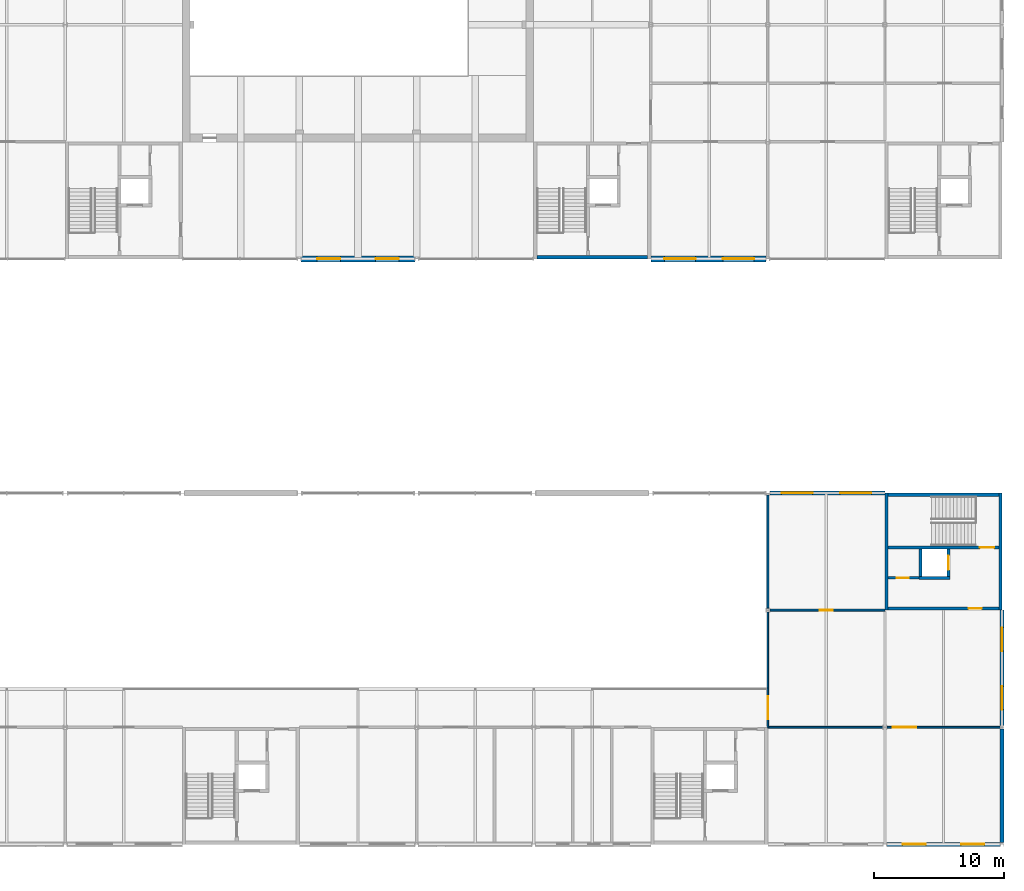
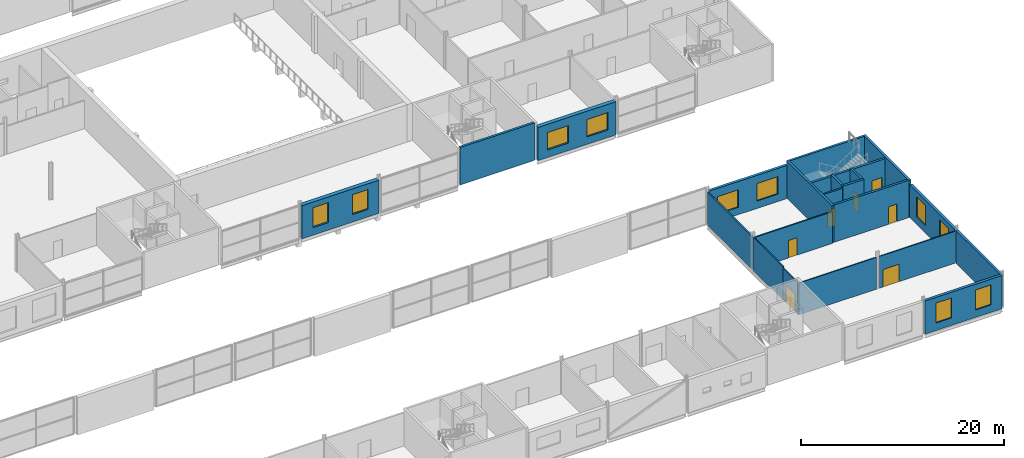
# One storey, part 82 of 97: 22 walls, 10 windows, 7 doors, 17 openings.
"""IFC4 building model written with IfcOpenShell, lengths in metres."""

from ifc_helpers import new_model, si_unit, direction, frame, frame_2d, origin, place, context, subcontext, project, spatial, rectangle, extrude, material, layer, layer_set, type_object, element, fill, save


model = new_model("IFC4")

# Units and contexts
model_context = context("Model", 3, precision=1e-05, world=origin(), true_north=direction((0.0, 1.0)))
body_context = subcontext(model_context, "Body", "Model", "MODEL_VIEW")
ifc_project = project(units=[si_unit("LENGTHUNIT", "METRE"), si_unit("AREAUNIT", "SQUARE_METRE"), si_unit("VOLUMEUNIT", "CUBIC_METRE"), si_unit("PLANEANGLEUNIT", "RADIAN"), si_unit("MASSUNIT", "GRAM", prefix="KILO")], contexts=[model_context])

# Site, building, storey
site_placement = place(None, origin())
site = spatial("IfcSite", under=ifc_project, at=site_placement, CompositionType="ELEMENT")
building_placement = place(site_placement, origin())
building = spatial("IfcBuilding", under=site, at=building_placement, Name="Corbel Yard City Hall", CompositionType="ELEMENT")
storey_placement = place(building_placement, frame((0.0, 0.0, 6.0)))
storey = spatial("IfcBuildingStorey", under=building, at=storey_placement, Name="L01", CompositionType="ELEMENT", Elevation=6.0)

# Walls
ifc_material_1 = material(Name="Concrete N50 (50 MPa)", Category="concrete")
ifc_layer_1 = layer(ifc_material_1, 0.25)
ifc_layer_set_1 = layer_set([ifc_layer_1], Name="Concrete N50 (50 MPa)")
wall_type_1 = type_object("IfcWallType", Name="Core cell wall 250", PredefinedType="SHEAR", material=ifc_layer_set_1)
for number, where, z_axis, x_axis, name in (
    (1, (171.125, 18.0, 0.0), (0.0, 0.0, 1.0), (0.0, 1.0, 0.0), "Core PC-S6 west wall"),
    (2, (179.875, 18.0, 0.0), (0.0, 0.0, 1.0), (0.0, 1.0, 0.0), "Core PC-S6 east wall"),
):
    element("IfcWall", number, at=place(storey_placement, frame(where, z_axis=z_axis, x_axis=x_axis)), inside=storey, type_object=wall_type_1, Name=name, PredefinedType="SHEAR", context=body_context, shape_type="SweptSolid", body=[
        extrude(rectangle(XDim=9.0, YDim=0.25, at=frame_2d((4.5, 0.0))), origin(), (0.0, 0.0, 1.0), 4.5),
    ])

# Wall, opening, door
wall_1_placement = place(storey_placement, frame((171.25, 18.125, 0.0), z_axis=(0.0, 0.0, 1.0), x_axis=(1.0, 0.0, 0.0)))
wall_1 = element("IfcWall", 3, at=wall_1_placement, inside=storey, type_object=wall_type_1, Name="Core PC-S6 south wall", PredefinedType="SHEAR", context=body_context, shape_type="SweptSolid", body=[
    extrude(rectangle(XDim=8.5, YDim=0.25, at=frame_2d((4.25, 0.0))), origin(), (0.0, 0.0, 1.0), 4.5),
])
opening_1_placement = place(wall_1_placement, frame((6.1875, 0.0, 0.0)))
opening_1 = element("IfcOpeningElement", 4, at=opening_1_placement, cuts=wall_1, Name="Opening L01-048", PredefinedType="OPENING", context=body_context, shape_type="SweptSolid", body=[
    extrude(rectangle(XDim=1.0, YDim=2.10009765625, at=frame_2d((0.5, 1.050048828125))), frame((0.0, 0.135009765625, 0.0), z_axis=(0.0, -1.0, 0.0), x_axis=(1.0, 0.0, 0.0)), (0.0, 0.0, 1.0), 0.27001953125),
])
ifc_material_2 = material(Name="Steel Grade G250", Category="steel")
door_type_1 = type_object("IfcDoorType", Name="FS1", OperationType="SINGLE_SWING_LEFT", PredefinedType="DOOR", material=ifc_material_2)
door_1_placement = place(opening_1_placement, origin())
door_1 = element("IfcDoor", 5, at=door_1_placement, inside=storey, type_object=door_type_1, Name="Door Lift Lobby", OperationType="SINGLE_SWING_RIGHT", OverallHeight=2.10009765625, OverallWidth=1.0, PredefinedType="DOOR", context=body_context, shape_type="SweptSolid", body=[
    extrude(rectangle(XDim=1.0, YDim=2.10009765625, at=frame_2d((0.5, 1.050048828125))), frame((0.0, 0.02490234375, 0.0), z_axis=(0.0, -1.0, 0.0), x_axis=(1.0, 0.0, 0.0)), (0.0, 0.0, 1.0), 0.050048828125),
])
fill(opening_1, door_1)

# Walls
for number, where, z_axis, x_axis, name in (
    (6, (171.25, 26.875, 0.0), (0.0, 0.0, 1.0), (1.0, 0.0, 0.0), "Core PC-S6 north wall"),
    (7, (144.25, 45.125, 0.0), (0.0, 0.0, 1.0), (1.0, 0.0, 0.0), "Core PC-M4 south wall"),
):
    element("IfcWall", number, at=place(storey_placement, frame(where, z_axis=z_axis, x_axis=x_axis)), inside=storey, type_object=wall_type_1, Name=name, PredefinedType="SHEAR", context=body_context, shape_type="SweptSolid", body=[
        extrude(rectangle(XDim=8.5, YDim=0.25, at=frame_2d((4.25, 0.0))), origin(), (0.0, 0.0, 1.0), 4.5),
    ])

# Wall, openings, windows
ifc_material_3 = material(Name="Sandstone cladding", Category="masonry")
ifc_layer_2 = layer(ifc_material_3, 0.0400390625)
ifc_material_4 = material(Name="Air cavity", Category="air")
ifc_layer_3 = layer(ifc_material_4, 0.0400390625)
ifc_material_5 = material(Name="Concrete block", Category="concrete")
ifc_layer_4 = layer(ifc_material_5, 0.18994140625)
ifc_material_6 = material(Name="Gypsum plasterboard", Category="gypsum")
ifc_layer_5 = layer(ifc_material_6, 0.030029296875)
ifc_layer_set_2 = layer_set([ifc_layer_2, ifc_layer_3, ifc_layer_4, ifc_layer_5], Name="Concrete block")
wall_type_2 = type_object("IfcWallType", Name="EW1", PredefinedType="SOLIDWALL", material=ifc_layer_set_2)
wall_2_placement = place(storey_placement, frame((171.1298828125, 0.0, 0.0), z_axis=(0.0, 0.0, 1.0), x_axis=(1.0, 0.0, 0.0)))
wall_2 = element("IfcWall", 8, at=wall_2_placement, inside=storey, type_object=wall_type_2, Name="External wall", PredefinedType="SOLIDWALL", context=body_context, shape_type="SweptSolid", body=[
    extrude(rectangle(XDim=8.740234375, YDim=0.300048828125, at=frame_2d((4.3701171875, 0.0))), origin(), (0.0, 0.0, 1.0), 3.990966796875),
])
opening_2_placement = place(wall_2_placement, frame((1.219970703125, 0.0, 0.89990234375)))
opening_2 = element("IfcOpeningElement", 9, at=opening_2_placement, cuts=wall_2, Name="Opening WN1", PredefinedType="OPENING", context=body_context, shape_type="SweptSolid", body=[
    extrude(rectangle(XDim=1.800048828125, YDim=2.39990234375, at=frame_2d((0.89990234375, 1.199951171875))), frame((0.0, 0.159912109375, 0.0), z_axis=(0.0, -1.0, 0.0), x_axis=(1.0, 0.0, 0.0)), (0.0, 0.0, 1.0), 0.320068359375),
])
opening_3_placement = place(wall_2_placement, frame((5.719970703125, 0.0, 0.89990234375)))
opening_3 = element("IfcOpeningElement", 10, at=opening_3_placement, cuts=wall_2, Name="Opening WN1", PredefinedType="OPENING", context=body_context, shape_type="SweptSolid", body=[
    extrude(rectangle(XDim=1.800048828125, YDim=2.39990234375, at=frame_2d((0.89990234375, 1.199951171875))), frame((0.0, 0.159912109375, 0.0), z_axis=(0.0, -1.0, 0.0), x_axis=(1.0, 0.0, 0.0)), (0.0, 0.0, 1.0), 0.320068359375),
])
ifc_material_7 = material(Name="Aluminium frame, double glazed low-e glass", Category="aluminium")
window_type_1 = type_object("IfcWindowType", Name="WN1", PartitioningType="SINGLE_PANEL", PredefinedType="WINDOW", material=ifc_material_7)
window_1_placement = place(opening_2_placement, origin())
window_1 = element("IfcWindow", 11, at=window_1_placement, inside=storey, type_object=window_type_1, Name="Window WN1 L01", OverallHeight=2.39990234375, OverallWidth=1.800048828125, PartitioningType="SINGLE_PANEL", PredefinedType="WINDOW", context=body_context, shape_type="SweptSolid", body=[
    extrude(rectangle(XDim=1.800048828125, YDim=2.39990234375, at=frame_2d((0.89990234375, 1.199951171875))), frame((0.0, 0.030029296875, 0.0), z_axis=(0.0, -1.0, 0.0), x_axis=(1.0, 0.0, 0.0)), (0.0, 0.0, 1.0), 0.06005859375),
])
fill(opening_2, window_1)
window_2_placement = place(opening_3_placement, origin())
window_2 = element("IfcWindow", 12, at=window_2_placement, inside=storey, type_object=window_type_1, Name="Window WN1 L01", OverallHeight=2.39990234375, OverallWidth=1.800048828125, PartitioningType="SINGLE_PANEL", PredefinedType="WINDOW", context=body_context, shape_type="SweptSolid", body=[
    extrude(rectangle(XDim=1.800048828125, YDim=2.39990234375, at=frame_2d((0.89990234375, 1.199951171875))), frame((0.0, 0.030029296875, 0.0), z_axis=(0.0, -1.0, 0.0), x_axis=(1.0, 0.0, 0.0)), (0.0, 0.0, 1.0), 0.06005859375),
])
fill(opening_3, window_2)

wall_3_placement = place(storey_placement, frame((162.157470703125, 27.0, 0.0), z_axis=(0.0, 0.0, 1.0), x_axis=(1.0, 0.0, 0.0)))
wall_3 = element("IfcWall", 13, at=wall_3_placement, inside=storey, type_object=wall_type_2, Name="External wall", PredefinedType="SOLIDWALL", context=body_context, shape_type="SweptSolid", body=[
    extrude(rectangle(XDim=8.842529296875, YDim=0.300048828125, at=frame_2d((4.42138671875, 0.0))), origin(), (0.0, 0.0, 1.0), 3.990966796875),
])
opening_4_placement = place(wall_3_placement, frame((0.892578125, 0.0, 0.89990234375)))
opening_4 = element("IfcOpeningElement", 14, at=opening_4_placement, cuts=wall_3, Name="Opening WN8", PredefinedType="OPENING", context=body_context, shape_type="SweptSolid", body=[
    extrude(rectangle(XDim=2.39990234375, YDim=2.10009765625, at=frame_2d((1.199951171875, 1.050048828125))), frame((0.0, 0.159912109375, 0.0), z_axis=(0.0, -1.0, 0.0), x_axis=(1.0, 0.0, 0.0)), (0.0, 0.0, 1.0), 0.320068359375),
])
opening_5_placement = place(wall_3_placement, frame((5.392578125, 0.0, 0.89990234375)))
opening_5 = element("IfcOpeningElement", 15, at=opening_5_placement, cuts=wall_3, Name="Opening WN8", PredefinedType="OPENING", context=body_context, shape_type="SweptSolid", body=[
    extrude(rectangle(XDim=2.39990234375, YDim=2.10009765625, at=frame_2d((1.199951171875, 1.050048828125))), frame((0.0, 0.159912109375, 0.0), z_axis=(0.0, -1.0, 0.0), x_axis=(1.0, 0.0, 0.0)), (0.0, 0.0, 1.0), 0.320068359375),
])
window_type_2 = type_object("IfcWindowType", Name="WN8", PartitioningType="SINGLE_PANEL", PredefinedType="WINDOW", material=ifc_material_7)
window_3_placement = place(opening_4_placement, origin())
window_3 = element("IfcWindow", 16, at=window_3_placement, inside=storey, type_object=window_type_2, Name="Window WN8 L01", OverallHeight=2.10009765625, OverallWidth=2.39990234375, PartitioningType="SINGLE_PANEL", PredefinedType="WINDOW", context=body_context, shape_type="SweptSolid", body=[
    extrude(rectangle(XDim=2.39990234375, YDim=2.10009765625, at=frame_2d((1.199951171875, 1.050048828125))), frame((0.0, 0.030029296875, 0.0), z_axis=(0.0, -1.0, 0.0), x_axis=(1.0, 0.0, 0.0)), (0.0, 0.0, 1.0), 0.06005859375),
])
fill(opening_4, window_3)
window_4_placement = place(opening_5_placement, origin())
window_4 = element("IfcWindow", 17, at=window_4_placement, inside=storey, type_object=window_type_2, Name="Window WN8 L01", OverallHeight=2.10009765625, OverallWidth=2.39990234375, PartitioningType="SINGLE_PANEL", PredefinedType="WINDOW", context=body_context, shape_type="SweptSolid", body=[
    extrude(rectangle(XDim=2.39990234375, YDim=2.10009765625, at=frame_2d((1.199951171875, 1.050048828125))), frame((0.0, 0.030029296875, 0.0), z_axis=(0.0, -1.0, 0.0), x_axis=(1.0, 0.0, 0.0)), (0.0, 0.0, 1.0), 0.06005859375),
])
fill(opening_5, window_4)

ifc_layer_6 = layer(ifc_material_3, 0.06005859375)
ifc_layer_7 = layer(ifc_material_4, 0.0400390625)
ifc_material_8 = material(Name="Concrete N40 (40 MPa)", Category="concrete")
ifc_layer_8 = layer(ifc_material_8, 0.25)
ifc_material_9 = material(Name="Mineral wool", Category="insulation")
ifc_layer_9 = layer(ifc_material_9, 0.10009765625)
ifc_layer_set_3 = layer_set([ifc_layer_6, ifc_layer_7, ifc_layer_8, ifc_layer_9], Name="Concrete N40 (40 MPa)")
wall_type_3 = type_object("IfcWallType", Name="EW2", PredefinedType="SOLIDWALL", material=ifc_layer_set_3)
wall_4_placement = place(storey_placement, frame((126.1298828125, 45.0, 0.0), z_axis=(0.0, 0.0, 1.0), x_axis=(1.0, 0.0, 0.0)))
wall_4 = element("IfcWall", 18, at=wall_4_placement, inside=storey, type_object=wall_type_3, Name="Entrance pier wall", PredefinedType="SOLIDWALL", context=body_context, shape_type="SweptSolid", body=[
    extrude(rectangle(XDim=8.740234375, YDim=0.449951171875, at=frame_2d((4.3701171875, 0.0))), origin(), (0.0, 0.0, 1.0), 3.990966796875),
])
opening_6_placement = place(wall_4_placement, frame((1.219970703125, 0.0, 0.89990234375)))
opening_6 = element("IfcOpeningElement", 19, at=opening_6_placement, cuts=wall_4, Name="Opening WN1", PredefinedType="OPENING", context=body_context, shape_type="SweptSolid", body=[
    extrude(rectangle(XDim=1.800048828125, YDim=2.39990234375, at=frame_2d((0.89990234375, 1.199951171875))), frame((0.0, 0.23486328125, 0.0), z_axis=(0.0, -1.0, 0.0), x_axis=(1.0, 0.0, 0.0)), (0.0, 0.0, 1.0), 0.469970703125),
])
opening_7_placement = place(wall_4_placement, frame((5.719970703125, 0.0, 0.89990234375)))
opening_7 = element("IfcOpeningElement", 20, at=opening_7_placement, cuts=wall_4, Name="Opening WN1", PredefinedType="OPENING", context=body_context, shape_type="SweptSolid", body=[
    extrude(rectangle(XDim=1.800048828125, YDim=2.39990234375, at=frame_2d((0.89990234375, 1.199951171875))), frame((0.0, 0.23486328125, 0.0), z_axis=(0.0, -1.0, 0.0), x_axis=(1.0, 0.0, 0.0)), (0.0, 0.0, 1.0), 0.469970703125),
])
window_5_placement = place(opening_6_placement, origin())
window_5 = element("IfcWindow", 21, at=window_5_placement, inside=storey, type_object=window_type_1, Name="Window WN1 L01", OverallHeight=2.39990234375, OverallWidth=1.800048828125, PartitioningType="SINGLE_PANEL", PredefinedType="WINDOW", context=body_context, shape_type="SweptSolid", body=[
    extrude(rectangle(XDim=1.800048828125, YDim=2.39990234375, at=frame_2d((0.89990234375, 1.199951171875))), frame((0.0, 0.030029296875, 0.0), z_axis=(0.0, -1.0, 0.0), x_axis=(1.0, 0.0, 0.0)), (0.0, 0.0, 1.0), 0.06005859375),
])
fill(opening_6, window_5)
window_6_placement = place(opening_7_placement, origin())
window_6 = element("IfcWindow", 22, at=window_6_placement, inside=storey, type_object=window_type_1, Name="Window WN1 L01", OverallHeight=2.39990234375, OverallWidth=1.800048828125, PartitioningType="SINGLE_PANEL", PredefinedType="WINDOW", context=body_context, shape_type="SweptSolid", body=[
    extrude(rectangle(XDim=1.800048828125, YDim=2.39990234375, at=frame_2d((0.89990234375, 1.199951171875))), frame((0.0, 0.030029296875, 0.0), z_axis=(0.0, -1.0, 0.0), x_axis=(1.0, 0.0, 0.0)), (0.0, 0.0, 1.0), 0.06005859375),
])
fill(opening_7, window_6)

wall_5_placement = place(storey_placement, frame((153.0, 45.0, 0.0), z_axis=(0.0, 0.0, 1.0), x_axis=(1.0, 0.0, 0.0)))
wall_5 = element("IfcWall", 23, at=wall_5_placement, inside=storey, type_object=wall_type_3, Name="Entrance pier wall", PredefinedType="SOLIDWALL", context=body_context, shape_type="SweptSolid", body=[
    extrude(rectangle(XDim=8.8701171875, YDim=0.449951171875, at=frame_2d((4.43505859375, 0.0))), origin(), (0.0, 0.0, 1.0), 3.990966796875),
])
opening_8_placement = place(wall_5_placement, frame((1.050048828125, 0.0, 0.89990234375)))
opening_8 = element("IfcOpeningElement", 24, at=opening_8_placement, cuts=wall_5, Name="Opening WN8", PredefinedType="OPENING", context=body_context, shape_type="SweptSolid", body=[
    extrude(rectangle(XDim=2.39990234375, YDim=2.10009765625, at=frame_2d((1.199951171875, 1.050048828125))), frame((0.0, 0.23486328125, 0.0), z_axis=(0.0, -1.0, 0.0), x_axis=(1.0, 0.0, 0.0)), (0.0, 0.0, 1.0), 0.469970703125),
])
opening_9_placement = place(wall_5_placement, frame((5.550048828125, 0.0, 0.89990234375)))
opening_9 = element("IfcOpeningElement", 25, at=opening_9_placement, cuts=wall_5, Name="Opening WN8", PredefinedType="OPENING", context=body_context, shape_type="SweptSolid", body=[
    extrude(rectangle(XDim=2.39990234375, YDim=2.10009765625, at=frame_2d((1.199951171875, 1.050048828125))), frame((0.0, 0.23486328125, 0.0), z_axis=(0.0, -1.0, 0.0), x_axis=(1.0, 0.0, 0.0)), (0.0, 0.0, 1.0), 0.469970703125),
])
window_7_placement = place(opening_8_placement, origin())
window_7 = element("IfcWindow", 26, at=window_7_placement, inside=storey, type_object=window_type_2, Name="Window WN8 L01", OverallHeight=2.10009765625, OverallWidth=2.39990234375, PartitioningType="SINGLE_PANEL", PredefinedType="WINDOW", context=body_context, shape_type="SweptSolid", body=[
    extrude(rectangle(XDim=2.39990234375, YDim=2.10009765625, at=frame_2d((1.199951171875, 1.050048828125))), frame((0.0, 0.030029296875, 0.0), z_axis=(0.0, -1.0, 0.0), x_axis=(1.0, 0.0, 0.0)), (0.0, 0.0, 1.0), 0.06005859375),
])
fill(opening_8, window_7)
window_8_placement = place(opening_9_placement, origin())
window_8 = element("IfcWindow", 27, at=window_8_placement, inside=storey, type_object=window_type_2, Name="Window WN8 L01", OverallHeight=2.10009765625, OverallWidth=2.39990234375, PartitioningType="SINGLE_PANEL", PredefinedType="WINDOW", context=body_context, shape_type="SweptSolid", body=[
    extrude(rectangle(XDim=2.39990234375, YDim=2.10009765625, at=frame_2d((1.199951171875, 1.050048828125))), frame((0.0, 0.030029296875, 0.0), z_axis=(0.0, -1.0, 0.0), x_axis=(1.0, 0.0, 0.0)), (0.0, 0.0, 1.0), 0.06005859375),
])
fill(opening_9, window_8)

# Wall
ifc_material_10 = material(Name="Cement render", Category="render")
ifc_layer_10 = layer(ifc_material_10, 0.02001953125)
ifc_layer_11 = layer(ifc_material_5, 0.18994140625)
ifc_layer_12 = layer(ifc_material_6, 0.0400390625)
ifc_layer_13 = layer(ifc_material_9, 0.030029296875)
ifc_layer_set_4 = layer_set([ifc_layer_10, ifc_layer_11, ifc_layer_12, ifc_layer_13], Name="Concrete block")
wall_type_4 = type_object("IfcWallType", Name="EW4", PredefinedType="SOLIDWALL", material=ifc_layer_set_4)
wall_6_placement = place(storey_placement, frame((180.0, 0.1279296875, 0.0), z_axis=(0.0, 0.0, 1.0), x_axis=(0.0, 1.0, 0.0)))
element("IfcWall", 28, at=wall_6_placement, inside=storey, type_object=wall_type_4, Name="Loading dock wall", PredefinedType="SOLIDWALL", context=body_context, shape_type="SweptSolid", body=[
    extrude(rectangle(XDim=8.744140625, YDim=0.280029296875, at=frame_2d((4.3720703125, 0.0))), origin(), (0.0, 0.0, 1.0), 3.947021484375),
])

# Wall, openings, windows
ifc_layer_14 = layer(ifc_material_3, 0.0400390625)
ifc_layer_15 = layer(ifc_material_4, 0.030029296875)
ifc_layer_16 = layer(ifc_material_8, 0.18994140625)
ifc_layer_17 = layer(ifc_material_6, 0.0400390625)
ifc_layer_set_5 = layer_set([ifc_layer_14, ifc_layer_15, ifc_layer_16, ifc_layer_17], Name="Concrete N40 (40 MPa)")
wall_type_5 = type_object("IfcWallType", Name="EW7", PredefinedType="SOLIDWALL", material=ifc_layer_set_5)
wall_7_placement = place(storey_placement, frame((180.0, 9.1279296875, 0.0), z_axis=(0.0, 0.0, 1.0), x_axis=(0.0, 1.0, 0.0)))
wall_7 = element("IfcWall", 29, at=wall_7_placement, inside=storey, type_object=wall_type_5, Name="Entrance pier wall", PredefinedType="SOLIDWALL", context=body_context, shape_type="SweptSolid", body=[
    extrude(rectangle(XDim=8.8720703125, YDim=0.300048828125, at=frame_2d((4.43603515625, 0.0))), origin(), (0.0, 0.0, 1.0), 3.947021484375),
])
opening_10_placement = place(wall_7_placement, frame((1.221923828125, 0.0, 0.89990234375)))
opening_10 = element("IfcOpeningElement", 30, at=opening_10_placement, cuts=wall_7, Name="Opening WN1", PredefinedType="OPENING", context=body_context, shape_type="SweptSolid", body=[
    extrude(rectangle(XDim=1.800048828125, YDim=2.39990234375, at=frame_2d((0.89990234375, 1.199951171875))), frame((0.0, 0.159912109375, 0.0), z_axis=(0.0, -1.0, 0.0), x_axis=(1.0, 0.0, 0.0)), (0.0, 0.0, 1.0), 0.320068359375),
])
opening_11_placement = place(wall_7_placement, frame((5.721923828125, 0.0, 0.89990234375)))
opening_11 = element("IfcOpeningElement", 31, at=opening_11_placement, cuts=wall_7, Name="Opening WN1", PredefinedType="OPENING", context=body_context, shape_type="SweptSolid", body=[
    extrude(rectangle(XDim=1.800048828125, YDim=2.39990234375, at=frame_2d((0.89990234375, 1.199951171875))), frame((0.0, 0.159912109375, 0.0), z_axis=(0.0, -1.0, 0.0), x_axis=(1.0, 0.0, 0.0)), (0.0, 0.0, 1.0), 0.320068359375),
])
window_9_placement = place(opening_10_placement, origin())
window_9 = element("IfcWindow", 32, at=window_9_placement, inside=storey, type_object=window_type_1, Name="Window WN1 L01", OverallHeight=2.39990234375, OverallWidth=1.800048828125, PartitioningType="SINGLE_PANEL", PredefinedType="WINDOW", context=body_context, shape_type="SweptSolid", body=[
    extrude(rectangle(XDim=1.800048828125, YDim=2.39990234375, at=frame_2d((0.89990234375, 1.199951171875))), frame((0.0, 0.030029296875, 0.0), z_axis=(0.0, -1.0, 0.0), x_axis=(1.0, 0.0, 0.0)), (0.0, 0.0, 1.0), 0.06005859375),
])
fill(opening_10, window_9)
window_10_placement = place(opening_11_placement, origin())
window_10 = element("IfcWindow", 33, at=window_10_placement, inside=storey, type_object=window_type_1, Name="Window WN1 L01", OverallHeight=2.39990234375, OverallWidth=1.800048828125, PartitioningType="SINGLE_PANEL", PredefinedType="WINDOW", context=body_context, shape_type="SweptSolid", body=[
    extrude(rectangle(XDim=1.800048828125, YDim=2.39990234375, at=frame_2d((0.89990234375, 1.199951171875))), frame((0.0, 0.030029296875, 0.0), z_axis=(0.0, -1.0, 0.0), x_axis=(1.0, 0.0, 0.0)), (0.0, 0.0, 1.0), 0.06005859375),
])
fill(opening_11, window_10)

# Wall, opening, door
ifc_layer_18 = layer(ifc_material_8, 0.25)
ifc_layer_set_6 = layer_set([ifc_layer_18], Name="Concrete N40 (40 MPa)")
wall_type_6 = type_object("IfcWallType", Name="IW2", PredefinedType="SOLIDWALL", material=ifc_layer_set_6)
wall_8_placement = place(storey_placement, frame((179.75, 22.824951171875, 0.0), z_axis=(0.0, 0.0, 1.0), x_axis=(-1.0, 0.0, 0.0)))
wall_8 = element("IfcWall", 34, at=wall_8_placement, inside=storey, type_object=wall_type_6, Name="Stair enclosure wall", PredefinedType="SOLIDWALL", context=body_context, shape_type="SweptSolid", body=[
    extrude(rectangle(XDim=8.5, YDim=0.25, at=frame_2d((4.25, 0.0))), origin(), (0.0, 0.0, 1.0), 4.25),
])
opening_12_placement = place(wall_8_placement, frame((0.35009765625, 0.0, 0.0)))
opening_12 = element("IfcOpeningElement", 35, at=opening_12_placement, cuts=wall_8, Name="Opening L01-047", PredefinedType="OPENING", context=body_context, shape_type="SweptSolid", body=[
    extrude(rectangle(XDim=1.10009765625, YDim=2.10009765625, at=frame_2d((0.550048828125, 1.050048828125))), frame((0.0, 0.135009765625, 0.0), z_axis=(0.0, -1.0, 0.0), x_axis=(1.0, 0.0, 0.0)), (0.0, 0.0, 1.0), 0.27001953125),
])
door_type_2 = type_object("IfcDoorType", Name="FS11", OperationType="SINGLE_SWING_LEFT", PredefinedType="DOOR", material=ifc_material_2)
door_2_placement = place(opening_12_placement, frame((1.10009765625, 0.0, 0.0), z_axis=(0.0, 0.0, 1.0), x_axis=(-1.0, 0.0, 0.0)))
door_2 = element("IfcDoor", 36, at=door_2_placement, inside=storey, type_object=door_type_2, Name="Door Exit Stair 7", OperationType="SINGLE_SWING_RIGHT", OverallHeight=2.10009765625, OverallWidth=1.10009765625, PredefinedType="DOOR", context=body_context, shape_type="SweptSolid", body=[
    extrude(rectangle(XDim=1.10009765625, YDim=2.10009765625, at=frame_2d((0.550048828125, 1.050048828125))), frame((0.0, 0.02490234375, 0.0), z_axis=(0.0, -1.0, 0.0), x_axis=(1.0, 0.0, 0.0)), (0.0, 0.0, 1.0), 0.050048828125),
])
fill(opening_12, door_2)

# Walls
wall_9_placement = place(storey_placement, frame((173.60009765625, 20.47509765625, 0.0), z_axis=(0.0, 0.0, 1.0), x_axis=(1.0, 0.0, 0.0)))
element("IfcWall", 37, at=wall_9_placement, inside=storey, type_object=wall_type_6, Name="Lift LP7 shaft wall", PredefinedType="SOLIDWALL", context=body_context, shape_type="SweptSolid", body=[
    extrude(rectangle(XDim=2.39990234375, YDim=0.25, at=frame_2d((1.199951171875, 0.0))), origin(), (0.0, 0.0, 1.0), 4.5),
])
wall_10_placement = place(storey_placement, frame((173.72509765625, 20.60009765625, 0.0), z_axis=(0.0, 0.0, 1.0), x_axis=(0.0, 1.0, 0.0)))
element("IfcWall", 38, at=wall_10_placement, inside=storey, type_object=wall_type_6, Name="Lift LP7 shaft wall", PredefinedType="SOLIDWALL", context=body_context, shape_type="SweptSolid", body=[
    extrude(rectangle(XDim=2.099853515625, YDim=0.25, at=frame_2d((1.0498046875, 0.0))), origin(), (0.0, 0.0, 1.0), 4.5),
])

# Wall, opening, door
wall_11_placement = place(storey_placement, frame((175.875, 20.60009765625, 0.0), z_axis=(0.0, 0.0, 1.0), x_axis=(0.0, 1.0, 0.0)))
wall_11 = element("IfcWall", 39, at=wall_11_placement, inside=storey, type_object=wall_type_6, Name="Lift LP7 shaft wall", PredefinedType="SOLIDWALL", context=body_context, shape_type="SweptSolid", body=[
    extrude(rectangle(XDim=2.099853515625, YDim=0.25, at=frame_2d((1.0498046875, 0.0))), origin(), (0.0, 0.0, 1.0), 4.5),
])
opening_13_placement = place(wall_11_placement, frame((0.5, 0.0, 0.0)))
opening_13 = element("IfcOpeningElement", 40, at=opening_13_placement, cuts=wall_11, Name="Opening L01-007", PredefinedType="OPENING", context=body_context, shape_type="SweptSolid", body=[
    extrude(rectangle(XDim=1.10009765625, YDim=2.10009765625, at=frame_2d((0.550048828125, 1.050048828125))), frame((0.0, 0.135009765625, 0.0), z_axis=(0.0, -1.0, 0.0), x_axis=(1.0, 0.0, 0.0)), (0.0, 0.0, 1.0), 0.27001953125),
])
ifc_material_11 = material(Name="Stainless steel Grade 316", Category="steel")
door_type_3 = type_object("IfcDoorType", Name="LD1", OperationType="DOUBLE_DOOR_SLIDING", PredefinedType="DOOR", material=ifc_material_11)
door_3_placement = place(opening_13_placement, origin())
door_3 = element("IfcDoor", 41, at=door_3_placement, inside=storey, type_object=door_type_3, Name="Lift LP7 landing door", OperationType="DOUBLE_DOOR_SLIDING", OverallHeight=2.10009765625, OverallWidth=1.10009765625, PredefinedType="DOOR", context=body_context, shape_type="SweptSolid", body=[
    extrude(rectangle(XDim=1.10009765625, YDim=2.10009765625, at=frame_2d((0.550048828125, 1.050048828125))), frame((0.0, 0.02490234375, 0.0), z_axis=(0.0, -1.0, 0.0), x_axis=(1.0, 0.0, 0.0)), (0.0, 0.0, 1.0), 0.050048828125),
])
fill(opening_13, door_3)

# Wall
ifc_layer_19 = layer(ifc_material_6, 0.028076171875)
ifc_material_12 = material(Name="Steel Grade G550 (550 MPa yield)", Category="steel")
ifc_layer_20 = layer(ifc_material_12, 0.06396484375)
ifc_layer_21 = layer(ifc_material_6, 0.028076171875)
ifc_layer_set_7 = layer_set([ifc_layer_19, ifc_layer_20, ifc_layer_21], Name="Steel Grade G550 (550 MPa yield)")
wall_type_7 = type_object("IfcWallType", Name="PT1", PredefinedType="PARTITIONING", material=ifc_layer_set_7)
wall_12_placement = place(storey_placement, frame((162.0, 9.0, 0.0), z_axis=(0.0, 0.0, 1.0), x_axis=(1.0, 0.0, 0.0)))
element("IfcWall", 42, at=wall_12_placement, inside=storey, type_object=wall_type_7, Name="Partition", PredefinedType="PARTITIONING", context=body_context, shape_type="SweptSolid", body=[
    extrude(rectangle(XDim=8.842529296875, YDim=0.1201171875, at=frame_2d((4.42138671875, 0.0))), origin(), (0.0, 0.0, 1.0), 3.822021484375),
])

# Wall, opening, door
wall_13_placement = place(storey_placement, frame((171.157470703125, 9.0, 0.0), z_axis=(0.0, 0.0, 1.0), x_axis=(1.0, 0.0, 0.0)))
wall_13 = element("IfcWall", 43, at=wall_13_placement, inside=storey, type_object=wall_type_7, Name="Partition", PredefinedType="PARTITIONING", context=body_context, shape_type="SweptSolid", body=[
    extrude(rectangle(XDim=8.712646484375, YDim=0.1201171875, at=frame_2d((4.3564453125, 0.0))), origin(), (0.0, 0.0, 1.0), 3.822021484375),
])
opening_14_placement = place(wall_13_placement, frame((0.4423828125, 0.0, 0.0)))
opening_14 = element("IfcOpeningElement", 44, at=opening_14_placement, cuts=wall_13, Name="Opening L01-045", PredefinedType="OPENING", context=body_context, shape_type="SweptSolid", body=[
    extrude(rectangle(XDim=1.800048828125, YDim=2.10009765625, at=frame_2d((0.89990234375, 1.050048828125))), frame((0.0, 0.070068359375, 0.0), z_axis=(0.0, -1.0, 0.0), x_axis=(1.0, 0.0, 0.0)), (0.0, 0.0, 1.0), 0.14013671875),
])
ifc_material_13 = material(Name="Timber", Category="wood")
door_type_4 = type_object("IfcDoorType", Name="D3", OperationType="DOUBLE_DOOR_SINGLE_SWING", PredefinedType="DOOR", material=ifc_material_13)
door_4_placement = place(opening_14_placement, origin())
door_4 = element("IfcDoor", 45, at=door_4_placement, inside=storey, type_object=door_type_4, Name="Door Staff Room", OperationType="DOUBLE_DOOR_SINGLE_SWING", OverallHeight=2.10009765625, OverallWidth=1.800048828125, PredefinedType="DOOR", context=body_context, shape_type="SweptSolid", body=[
    extrude(rectangle(XDim=1.800048828125, YDim=2.10009765625, at=frame_2d((0.89990234375, 1.050048828125))), frame((0.0, 0.02490234375, 0.0), z_axis=(0.0, -1.0, 0.0), x_axis=(1.0, 0.0, 0.0)), (0.0, 0.0, 1.0), 0.050048828125),
])
fill(opening_14, door_4)

wall_14_placement = place(storey_placement, frame((162.0, 9.0, 0.0), z_axis=(0.0, 0.0, 1.0), x_axis=(0.0, 1.0, 0.0)))
wall_14 = element("IfcWall", 46, at=wall_14_placement, inside=storey, type_object=wall_type_7, Name="Partition", PredefinedType="PARTITIONING", context=body_context, shape_type="SweptSolid", body=[
    extrude(rectangle(XDim=3.0, YDim=0.1201171875, at=frame_2d((1.5, 0.0))), origin(), (0.0, 0.0, 1.0), 3.822021484375),
])
opening_15_placement = place(wall_14_placement, frame((0.60009765625, 0.0, 0.0)))
opening_15 = element("IfcOpeningElement", 47, at=opening_15_placement, cuts=wall_14, Name="Opening L01-044", PredefinedType="OPENING", context=body_context, shape_type="SweptSolid", body=[
    extrude(rectangle(XDim=1.800048828125, YDim=2.10009765625, at=frame_2d((0.89990234375, 1.050048828125))), frame((0.0, 0.070068359375, 0.0), z_axis=(0.0, -1.0, 0.0), x_axis=(1.0, 0.0, 0.0)), (0.0, 0.0, 1.0), 0.14013671875),
])
door_5_placement = place(opening_15_placement, origin())
door_5 = element("IfcDoor", 48, at=door_5_placement, inside=storey, type_object=door_type_4, Name="Door East Landing", OperationType="DOUBLE_DOOR_SINGLE_SWING", OverallHeight=2.10009765625, OverallWidth=1.800048828125, PredefinedType="DOOR", context=body_context, shape_type="SweptSolid", body=[
    extrude(rectangle(XDim=1.800048828125, YDim=2.10009765625, at=frame_2d((0.89990234375, 1.050048828125))), frame((0.0, 0.02490234375, 0.0), z_axis=(0.0, -1.0, 0.0), x_axis=(1.0, 0.0, 0.0)), (0.0, 0.0, 1.0), 0.050048828125),
])
fill(opening_15, door_5)

# Wall
wall_15_placement = place(storey_placement, frame((162.0, 12.0, 0.0), z_axis=(0.0, 0.0, 1.0), x_axis=(0.0, 1.0, 0.0)))
element("IfcWall", 49, at=wall_15_placement, inside=storey, type_object=wall_type_7, Name="Partition", PredefinedType="PARTITIONING", context=body_context, shape_type="SweptSolid", body=[
    extrude(rectangle(XDim=5.842529296875, YDim=0.1201171875, at=frame_2d((2.92138671875, 0.0))), origin(), (0.0, 0.0, 1.0), 3.990966796875),
])

# Wall, opening, door
ifc_material_14 = material(Name="Concrete block", Category="concrete")
ifc_layer_22 = layer(ifc_material_14, 0.18994140625)
ifc_layer_set_8 = layer_set([ifc_layer_22], Name="Concrete block")
wall_type_8 = type_object("IfcWallType", Name="PT4", PredefinedType="PARTITIONING", material=ifc_layer_set_8)
wall_16_placement = place(storey_placement, frame((171.25, 20.47509765625, 0.0), z_axis=(0.0, 0.0, 1.0), x_axis=(1.0, 0.0, 0.0)))
wall_16 = element("IfcWall", 50, at=wall_16_placement, inside=storey, type_object=wall_type_8, Name="Fire-resisting block wall", PredefinedType="PARTITIONING", context=body_context, shape_type="SweptSolid", body=[
    extrude(rectangle(XDim=2.35009765625, YDim=0.18994140625, at=frame_2d((1.175048828125, 0.0))), origin(), (0.0, 0.0, 1.0), 4.25),
])
opening_16_placement = place(wall_16_placement, frame((0.652587890625, 0.0, 0.0)))
opening_16 = element("IfcOpeningElement", 51, at=opening_16_placement, cuts=wall_16, Name="Opening L01-049", PredefinedType="OPENING", context=body_context, shape_type="SweptSolid", body=[
    extrude(rectangle(XDim=0.919921875, YDim=2.10009765625, at=frame_2d((0.4599609375, 1.050048828125))), frame((0.0, 0.10498046875, 0.0), z_axis=(0.0, -1.0, 0.0), x_axis=(1.0, 0.0, 0.0)), (0.0, 0.0, 1.0), 0.2099609375),
])
door_type_5 = type_object("IfcDoorType", Name="FS5", OperationType="SINGLE_SWING_RIGHT", PredefinedType="DOOR", material=ifc_material_2)
door_6_placement = place(opening_16_placement, origin())
door_6 = element("IfcDoor", 52, at=door_6_placement, inside=storey, type_object=door_type_5, Name="Door Service Riser", OperationType="SINGLE_SWING_LEFT", OverallHeight=2.10009765625, OverallWidth=0.919921875, PredefinedType="DOOR", context=body_context, shape_type="SweptSolid", body=[
    extrude(rectangle(XDim=0.919921875, YDim=2.10009765625, at=frame_2d((0.4599609375, 1.050048828125))), frame((0.0, 0.02490234375, 0.0), z_axis=(0.0, -1.0, 0.0), x_axis=(1.0, 0.0, 0.0)), (0.0, 0.0, 1.0), 0.050048828125),
])
fill(opening_16, door_6)

ifc_layer_23 = layer(ifc_material_6, 0.031982421875)
ifc_layer_24 = layer(ifc_material_12, 0.0859375)
ifc_layer_25 = layer(ifc_material_6, 0.031982421875)
ifc_layer_set_9 = layer_set([ifc_layer_23, ifc_layer_24, ifc_layer_25], Name="Steel Grade G550 (550 MPa yield)")
wall_type_9 = type_object("IfcWallType", Name="PT7", PredefinedType="PARTITIONING", material=ifc_layer_set_9)
wall_17_placement = place(storey_placement, frame((162.157470703125, 18.0, 0.0), z_axis=(0.0, 0.0, 1.0), x_axis=(1.0, 0.0, 0.0)))
wall_17 = element("IfcWall", 53, at=wall_17_placement, inside=storey, type_object=wall_type_9, Name="Suite partition", PredefinedType="PARTITIONING", context=body_context, shape_type="SweptSolid", body=[
    extrude(rectangle(XDim=8.842529296875, YDim=0.14990234375, at=frame_2d((4.42138671875, 0.0))), origin(), (0.0, 0.0, 1.0), 3.822021484375),
])
opening_17_placement = place(wall_17_placement, frame((3.842529296875, 0.0, 0.0)))
opening_17 = element("IfcOpeningElement", 54, at=opening_17_placement, cuts=wall_17, Name="Opening L01-046", PredefinedType="OPENING", context=body_context, shape_type="SweptSolid", body=[
    extrude(rectangle(XDim=1.0, YDim=2.10009765625, at=frame_2d((0.5, 1.050048828125))), frame((0.0, 0.0849609375, 0.0), z_axis=(0.0, -1.0, 0.0), x_axis=(1.0, 0.0, 0.0)), (0.0, 0.0, 1.0), 0.169921875),
])
door_type_6 = type_object("IfcDoorType", Name="D1", OperationType="SINGLE_SWING_LEFT", PredefinedType="DOOR", material=ifc_material_13)
door_7_placement = place(opening_17_placement, origin())
door_7 = element("IfcDoor", 55, at=door_7_placement, inside=storey, type_object=door_type_6, Name="Door Meeting Room 3", OperationType="SINGLE_SWING_LEFT", OverallHeight=2.10009765625, OverallWidth=1.0, PredefinedType="DOOR", context=body_context, shape_type="SweptSolid", body=[
    extrude(rectangle(XDim=1.0, YDim=2.10009765625, at=frame_2d((0.5, 1.050048828125))), frame((0.0, 0.02490234375, 0.0), z_axis=(0.0, -1.0, 0.0), x_axis=(1.0, 0.0, 0.0)), (0.0, 0.0, 1.0), 0.050048828125),
])
fill(opening_17, door_7)

# Wall
wall_18_placement = place(storey_placement, frame((162.0, 18.157470703125, 0.0), z_axis=(0.0, 0.0, 1.0), x_axis=(0.0, 1.0, 0.0)))
element("IfcWall", 56, at=wall_18_placement, inside=storey, type_object=wall_type_9, Name="Suite partition", PredefinedType="PARTITIONING", context=body_context, shape_type="SweptSolid", body=[
    extrude(rectangle(XDim=8.68505859375, YDim=0.14990234375, at=frame_2d((4.342529296875, 0.0))), origin(), (0.0, 0.0, 1.0), 3.947021484375),
])

save(model, "model.ifc")
